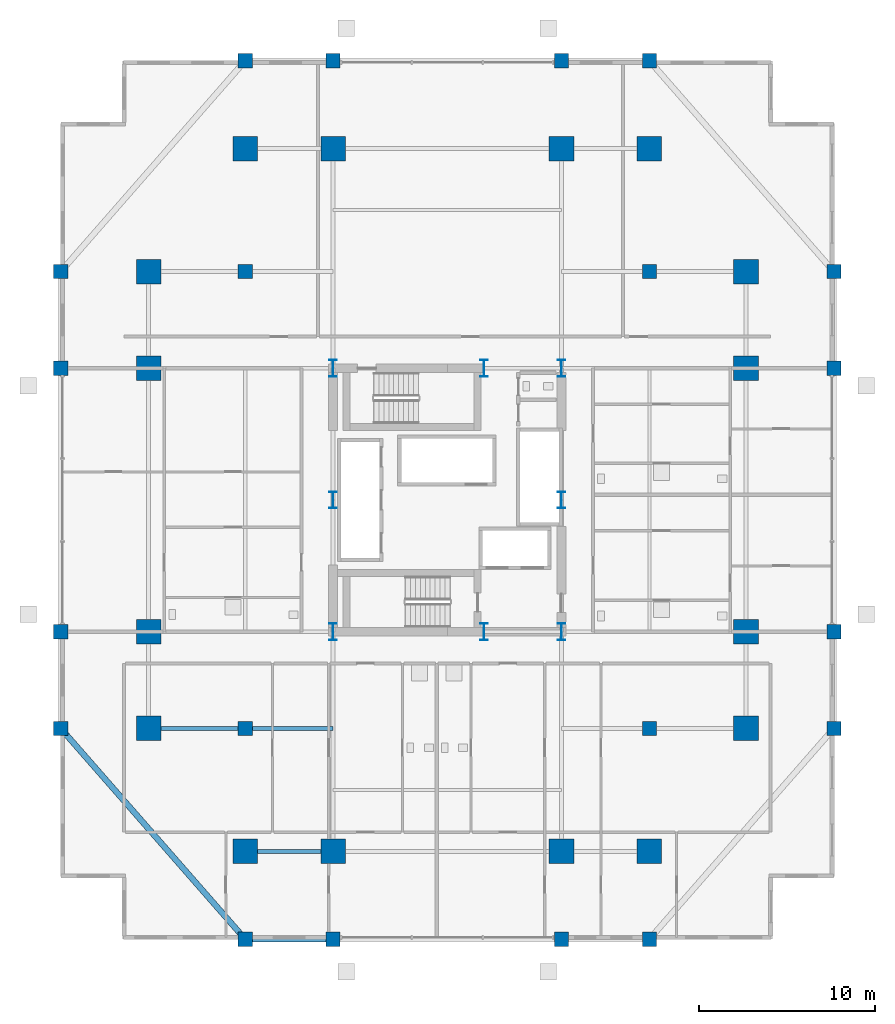
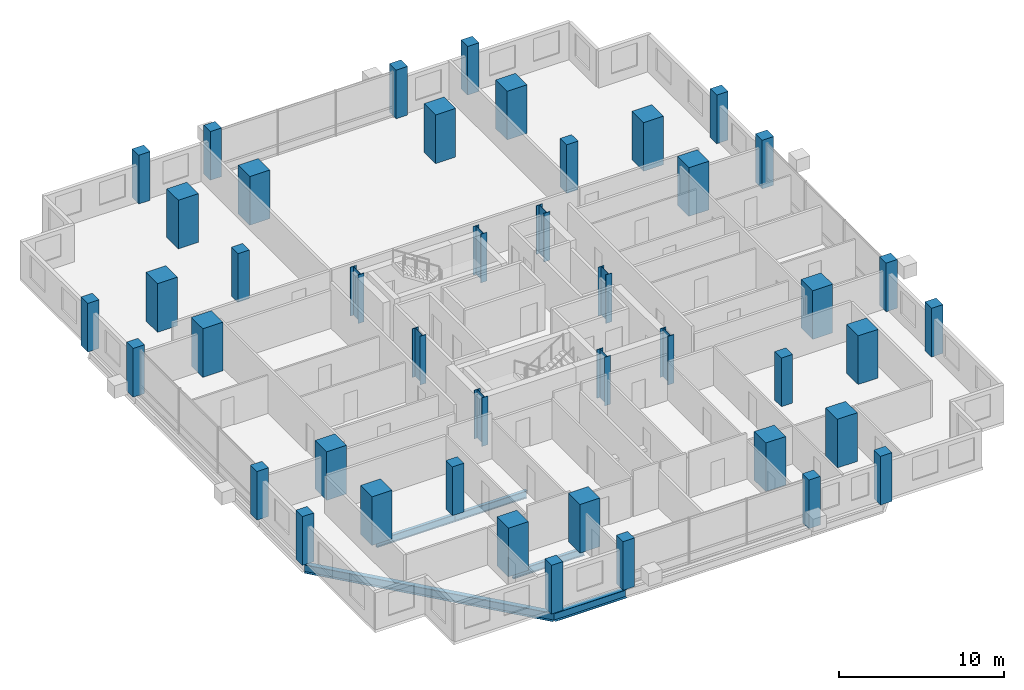
# One storey, part 1 of 23: 44 columns, 5 beams.
"""IFC4 building model written with IfcOpenShell, lengths in metres."""

from ifc_helpers import new_model, si_unit, direction, frame, origin, origin_2d, place, context, subcontext, project, spatial, rectangle, i_section, extrude, material, material_profile, profile_set, type_object, element, save


model = new_model("IFC4")

# Units and contexts
model_context = context("Model", 3, precision=1e-05, world=origin(), true_north=direction((0.0, 1.0)))
body_context = subcontext(model_context, "Body", "Model", "MODEL_VIEW")
ifc_project = project(units=[si_unit("LENGTHUNIT", "METRE"), si_unit("AREAUNIT", "SQUARE_METRE"), si_unit("VOLUMEUNIT", "CUBIC_METRE"), si_unit("PLANEANGLEUNIT", "RADIAN"), si_unit("MASSUNIT", "GRAM", prefix="KILO")], contexts=[model_context])

# Site, building, storey
site_placement = place(None, origin())
site = spatial("IfcSite", under=ifc_project, at=site_placement, CompositionType="ELEMENT")
building_placement = place(site_placement, origin())
building = spatial("IfcBuilding", under=site, at=building_placement, Name="Barlavira Tower and Art Museum", CompositionType="ELEMENT")
storey_placement = place(building_placement, frame((0.0, 0.0, 75.60009765625)))
storey = spatial("IfcBuildingStorey", under=building, at=storey_placement, Name="L18", CompositionType="ELEMENT", Elevation=75.60009765625)

# Columns
ifc_material_1 = material(Name="Steel S355", Category="steel")
ifc_material_profile_1 = material_profile(ifc_material_1, i_section(OverallWidth=0.419921875, OverallDepth=0.9599609375, WebThickness=0.02197265625, FlangeThickness=0.033935546875, at=origin_2d()), Name="W920x387.0")
ifc_profile_set_1 = profile_set([ifc_material_profile_1], Name="Steel S355")
column_type_1 = type_object("IfcColumnType", Name="Core Composite Column W920x387 Steel S355", PredefinedType="COLUMN", material=ifc_profile_set_1)
for number, where, z_axis, x_axis, name in (
    (1, (-6.5, -7.5, 0.0), (0.0, 0.0, 1.0), (1.0, 0.0, 0.0), "L18 Column CC-L18-C1"),
    (2, (2.080078125, -7.5, 0.0), (0.0, 0.0, 1.0), (1.0, 0.0, 0.0), "L18 Column CC-L18-C2"),
    (3, (6.5, -7.5, 0.0), (0.0, 0.0, 1.0), (1.0, 0.0, 0.0), "L18 Column CC-L18-C3"),
    (4, (-6.5, 0.0, 0.0), (0.0, 0.0, 1.0), (1.0, 0.0, 0.0), "L18 Column CC-L18-C4"),
    (5, (6.5, 0.0, 0.0), (0.0, 0.0, 1.0), (1.0, 0.0, 0.0), "L18 Column CC-L18-C5"),
    (6, (-6.5, 7.5, 0.0), (0.0, 0.0, 1.0), (1.0, 0.0, 0.0), "L18 Column CC-L18-C6"),
    (7, (2.080078125, 7.5, 0.0), (0.0, 0.0, 1.0), (1.0, 0.0, 0.0), "L18 Column CC-L18-C7"),
    (8, (6.5, 7.5, 0.0), (0.0, 0.0, 1.0), (1.0, 0.0, 0.0), "L18 Column CC-L18-C8"),
):
    element("IfcColumn", number, at=place(storey_placement, frame(where, z_axis=z_axis, x_axis=x_axis)), inside=storey, type_object=column_type_1, Name=name, PredefinedType="COLUMN", context=body_context, shape_type="SweptSolid", body=[
        extrude(i_section(OverallWidth=0.419921875, OverallDepth=0.9599609375, WebThickness=0.02197265625, FlangeThickness=0.033935546875, at=origin_2d()), origin(), (0.0, 0.0, 1.0), 3.599853515625),
    ])
ifc_material_2 = material(Name="Concrete C60", Category="concrete")
ifc_material_profile_2 = material_profile(ifc_material_2, rectangle(XDim=1.39990234375, YDim=1.39990234375, at=origin_2d()), Name="RC-MCOL 1400x1400")
ifc_profile_set_2 = profile_set([ifc_material_profile_2], Name="Concrete C60")
column_type_2 = type_object("IfcColumnType", Name="Perimeter Mega Column 1400x1400 Concrete C60", PredefinedType="USERDEFINED", material=ifc_profile_set_2)
for number, where, z_axis, x_axis, name in (
    (9, (-11.5, -20.0, 0.0), (0.0, 0.0, 1.0), (1.0, 0.0, 0.0), "L18 Column MC-L18-M01"),
    (10, (-6.5, -20.0, 0.0), (0.0, 0.0, 1.0), (1.0, 0.0, 0.0), "L18 Column MC-L18-M02"),
    (11, (6.5, -20.0, 0.0), (0.0, 0.0, 1.0), (1.0, 0.0, 0.0), "L18 Column MC-L18-M03"),
    (12, (11.5, -20.0, 0.0), (0.0, 0.0, 1.0), (1.0, 0.0, 0.0), "L18 Column MC-L18-M04"),
    (13, (17.0, -13.0, 0.0), (0.0, 0.0, 1.0), (1.0, 0.0, 0.0), "L18 Column MC-L18-M05"),
    (14, (17.0, -7.5, 0.0), (0.0, 0.0, 1.0), (1.0, 0.0, 0.0), "L18 Column MC-L18-M06"),
    (15, (17.0, 7.5, 0.0), (0.0, 0.0, 1.0), (1.0, 0.0, 0.0), "L18 Column MC-L18-M07"),
    (16, (17.0, 13.0, 0.0), (0.0, 0.0, 1.0), (1.0, 0.0, 0.0), "L18 Column MC-L18-M08"),
    (17, (11.5, 20.0, 0.0), (0.0, 0.0, 1.0), (1.0, 0.0, 0.0), "L18 Column MC-L18-M09"),
    (18, (6.5, 20.0, 0.0), (0.0, 0.0, 1.0), (1.0, 0.0, 0.0), "L18 Column MC-L18-M10"),
    (19, (-6.5, 20.0, 0.0), (0.0, 0.0, 1.0), (1.0, 0.0, 0.0), "L18 Column MC-L18-M11"),
    (20, (-11.5, 20.0, 0.0), (0.0, 0.0, 1.0), (1.0, 0.0, 0.0), "L18 Column MC-L18-M12"),
    (21, (-17.0, 13.0, 0.0), (0.0, 0.0, 1.0), (1.0, 0.0, 0.0), "L18 Column MC-L18-M13"),
    (22, (-17.0, 7.5, 0.0), (0.0, 0.0, 1.0), (1.0, 0.0, 0.0), "L18 Column MC-L18-M14"),
    (23, (-17.0, -7.5, 0.0), (0.0, 0.0, 1.0), (1.0, 0.0, 0.0), "L18 Column MC-L18-M15"),
    (24, (-17.0, -13.0, 0.0), (0.0, 0.0, 1.0), (1.0, 0.0, 0.0), "L18 Column MC-L18-M16"),
):
    element("IfcColumn", number, at=place(storey_placement, frame(where, z_axis=z_axis, x_axis=x_axis)), inside=storey, type_object=column_type_2, Name=name, ObjectType="MEGA COLUMN", PredefinedType="USERDEFINED", context=body_context, shape_type="SweptSolid", body=[
        extrude(rectangle(XDim=1.39990234375, YDim=1.39990234375, at=origin_2d()), origin(), (0.0, 0.0, 1.0), 3.599853515625),
    ])
ifc_material_3 = material(Name="Concrete C50", Category="concrete")
ifc_material_profile_3 = material_profile(ifc_material_3, rectangle(XDim=0.800048828125, YDim=0.800048828125, at=origin_2d()), Name="RC-COL 800x800")
ifc_profile_set_3 = profile_set([ifc_material_profile_3], Name="Concrete C50")
column_type_3 = type_object("IfcColumnType", Name="Podium Frame Column 800x800 Concrete C50", PredefinedType="COLUMN", material=ifc_profile_set_3)
for number, where, z_axis, x_axis, name in (
    (25, (-11.5, -13.0, 0.0), (0.0, 0.0, 1.0), (1.0, 0.0, 0.0), "L18 Column CI-L18-I1"),
    (26, (11.5, -13.0, 0.0), (0.0, 0.0, 1.0), (1.0, 0.0, 0.0), "L18 Column CI-L18-I2"),
    (27, (-11.5, 13.0, 0.0), (0.0, 0.0, 1.0), (1.0, 0.0, 0.0), "L18 Column CI-L18-I3"),
    (28, (11.5, 13.0, 0.0), (0.0, 0.0, 1.0), (1.0, 0.0, 0.0), "L18 Column CI-L18-I4"),
    (29, (-11.5, -25.0, 0.0), (0.0, 0.0, 1.0), (1.0, 0.0, 0.0), "L18 Column CZ1-L18-N01"),
    (30, (-6.5, -25.0, 0.0), (0.0, 0.0, 1.0), (1.0, 0.0, 0.0), "L18 Column CZ1-L18-N02"),
    (31, (6.5, -25.0, 0.0), (0.0, 0.0, 1.0), (1.0, 0.0, 0.0), "L18 Column CZ1-L18-N02B"),
    (32, (11.5, -25.0, 0.0), (0.0, 0.0, 1.0), (1.0, 0.0, 0.0), "L18 Column CZ1-L18-N03"),
    (33, (-22.0, -13.0, 0.0), (0.0, 0.0, 1.0), (1.0, 0.0, 0.0), "L18 Column CZ1-L18-N04"),
    (34, (-22.0, -7.5, 0.0), (0.0, 0.0, 1.0), (1.0, 0.0, 0.0), "L18 Column CZ1-L18-N05"),
    (35, (-22.0, 7.5, 0.0), (0.0, 0.0, 1.0), (1.0, 0.0, 0.0), "L18 Column CZ1-L18-N05B"),
    (36, (-22.0, 13.0, 0.0), (0.0, 0.0, 1.0), (1.0, 0.0, 0.0), "L18 Column CZ1-L18-N06"),
    (37, (-11.5, 25.0, 0.0), (0.0, 0.0, 1.0), (1.0, 0.0, 0.0), "L18 Column CZ1-L18-N07"),
    (38, (-6.5, 25.0, 0.0), (0.0, 0.0, 1.0), (1.0, 0.0, 0.0), "L18 Column CZ1-L18-N08"),
    (39, (6.5, 25.0, 0.0), (0.0, 0.0, 1.0), (1.0, 0.0, 0.0), "L18 Column CZ1-L18-N08B"),
    (40, (11.5, 25.0, 0.0), (0.0, 0.0, 1.0), (1.0, 0.0, 0.0), "L18 Column CZ1-L18-N09"),
    (41, (22.0, -13.0, 0.0), (0.0, 0.0, 1.0), (1.0, 0.0, 0.0), "L18 Column CZ1-L18-N10"),
    (42, (22.0, -7.5, 0.0), (0.0, 0.0, 1.0), (1.0, 0.0, 0.0), "L18 Column CZ1-L18-N11"),
    (43, (22.0, 7.5, 0.0), (0.0, 0.0, 1.0), (1.0, 0.0, 0.0), "L18 Column CZ1-L18-N11B"),
    (44, (22.0, 13.0, 0.0), (0.0, 0.0, 1.0), (1.0, 0.0, 0.0), "L18 Column CZ1-L18-N12"),
):
    element("IfcColumn", number, at=place(storey_placement, frame(where, z_axis=z_axis, x_axis=x_axis)), inside=storey, type_object=column_type_3, Name=name, PredefinedType="COLUMN", context=body_context, shape_type="SweptSolid", body=[
        extrude(rectangle(XDim=0.800048828125, YDim=0.800048828125, at=origin_2d()), origin(), (0.0, 0.0, 1.0), 3.599853515625),
    ])

# Beams
ifc_material_profile_4 = material_profile(ifc_material_1, i_section(OverallWidth=0.327880859375, OverallDepth=0.62890625, WebThickness=0.013916015625, FlangeThickness=0.021484375, at=origin_2d()), Name="W610x174.0")
ifc_profile_set_4 = profile_set([ifc_material_profile_4], Name="Steel S355")
beam_type_1 = type_object("IfcBeamType", Name="Perimeter Spandrel Edge Beam W610x174 Steel S355", PredefinedType="SPANDREL", material=ifc_profile_set_4)
beam_1_placement = place(storey_placement, frame((-11.5, -25.0, -0.53466796875), z_axis=(1.0, 0.0, 0.0), x_axis=(0.0, 1.0, 0.0)))
element("IfcBeam", 45, at=beam_1_placement, inside=storey, type_object=beam_type_1, Name="L18 Spandrel 1", PredefinedType="SPANDREL", context=body_context, shape_type="SweptSolid", body=[
    extrude(i_section(OverallWidth=0.327880859375, OverallDepth=0.62890625, WebThickness=0.013916015625, FlangeThickness=0.021484375, at=origin_2d()), origin(), (0.0, 0.0, 1.0), 5.0),
])
beam_2_placement = place(storey_placement, frame((-22.0, -13.0, -0.53466796875), z_axis=(0.658504607869, -0.752576694707, 0.0), x_axis=(0.752576694707, 0.658504607869, 0.0)))
element("IfcBeam", 46, at=beam_2_placement, inside=storey, type_object=beam_type_1, Name="L18 Spandrel 16", PredefinedType="SPANDREL", context=body_context, shape_type="SweptSolid", body=[
    extrude(i_section(OverallWidth=0.327880859375, OverallDepth=0.62890625, WebThickness=0.013916015625, FlangeThickness=0.021484375, at=origin_2d()), origin(), (0.0, 0.0, 1.0), 15.9453125),
])
ifc_material_profile_5 = material_profile(ifc_material_1, i_section(OverallWidth=0.214111328125, OverallDepth=0.549072265625, WebThickness=0.0146484375, FlangeThickness=0.023681640625, at=origin_2d()), Name="W530x138.0")
ifc_profile_set_5 = profile_set([ifc_material_profile_5], Name="Steel S355")
beam_type_2 = type_object("IfcBeamType", Name="Zone 1 Primary Floor Girder W530x138 Steel S355", PredefinedType="BEAM", material=ifc_profile_set_5)
beam_3_placement = place(storey_placement, frame((-11.5, -20.0, -0.49462890625), z_axis=(1.0, 0.0, 0.0), x_axis=(0.0, 1.0, 0.0)))
element("IfcBeam", 47, at=beam_3_placement, inside=storey, type_object=beam_type_2, Name="L18 Girder M-S1", PredefinedType="BEAM", context=body_context, shape_type="SweptSolid", body=[
    extrude(i_section(OverallWidth=0.214111328125, OverallDepth=0.549072265625, WebThickness=0.0146484375, FlangeThickness=0.023681640625, at=origin_2d()), origin(), (0.0, 0.0, 1.0), 5.0),
])
beam_4_placement = place(storey_placement, frame((-17.0, -13.0, -0.49462890625), z_axis=(1.0, 0.0, 0.0), x_axis=(0.0, 1.0, 0.0)))
element("IfcBeam", 48, at=beam_4_placement, inside=storey, type_object=beam_type_2, Name="L18 Girder I-S1", PredefinedType="BEAM", context=body_context, shape_type="SweptSolid", body=[
    extrude(i_section(OverallWidth=0.214111328125, OverallDepth=0.549072265625, WebThickness=0.0146484375, FlangeThickness=0.023681640625, at=origin_2d()), origin(), (0.0, 0.0, 1.0), 5.5),
])
beam_5_placement = place(storey_placement, frame((-11.5, -13.0, -0.49462890625), z_axis=(1.0, 0.0, 0.0), x_axis=(0.0, 1.0, 0.0)))
element("IfcBeam", 49, at=beam_5_placement, inside=storey, type_object=beam_type_2, Name="L18 Girder I-S2", PredefinedType="BEAM", context=body_context, shape_type="SweptSolid", body=[
    extrude(i_section(OverallWidth=0.214111328125, OverallDepth=0.549072265625, WebThickness=0.0146484375, FlangeThickness=0.023681640625, at=origin_2d()), origin(), (0.0, 0.0, 1.0), 5.0),
])

save(model, "model.ifc")
